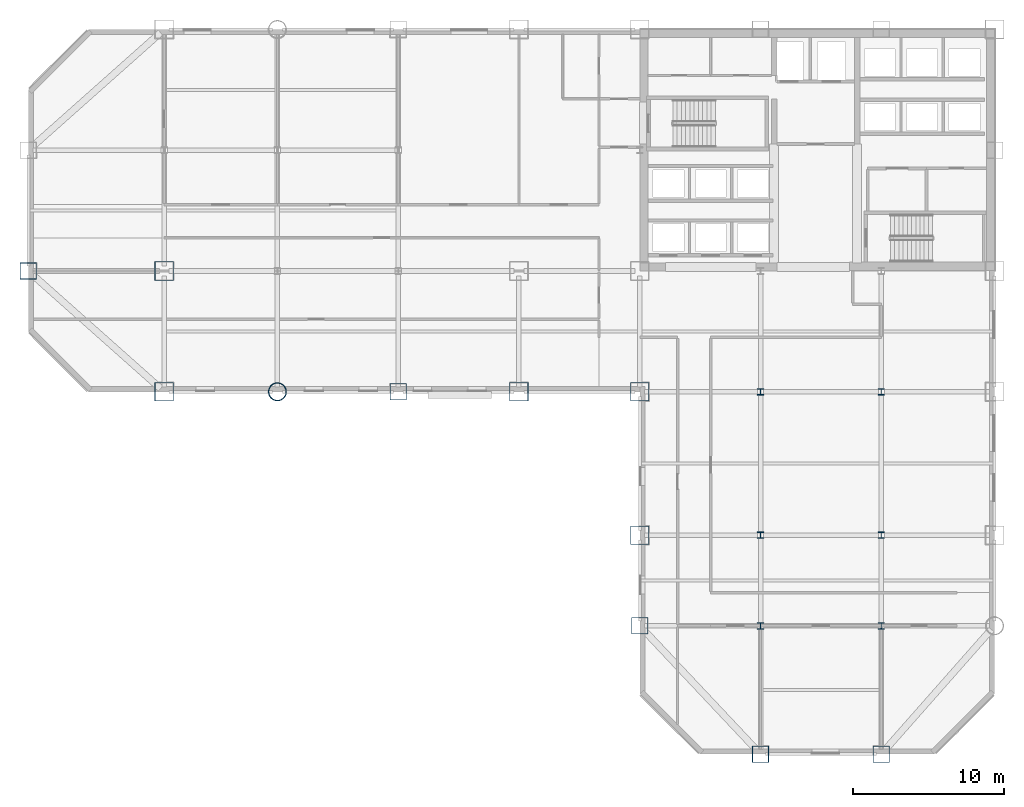
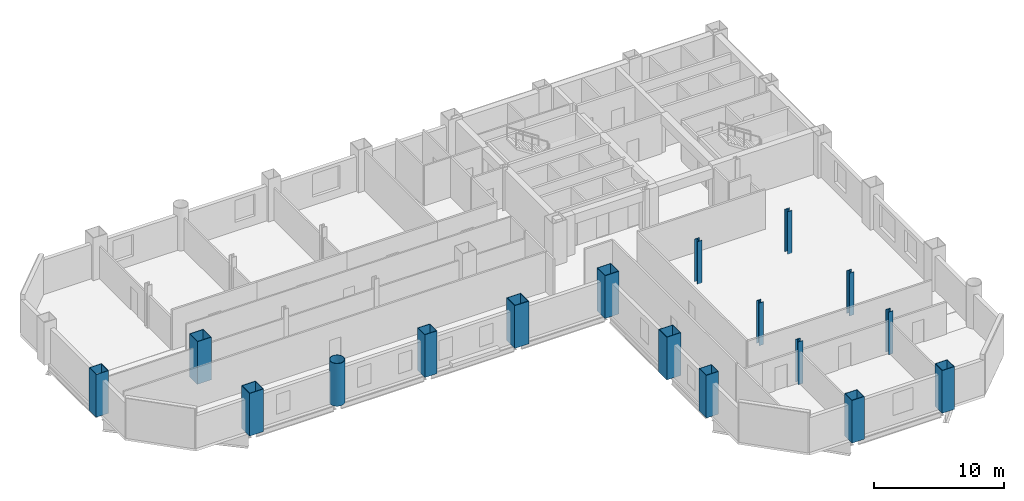
# One storey, part 1 of 9: 17 columns.
"""IFC4 building model written with IfcOpenShell, lengths in metres."""

from ifc_helpers import new_model, si_unit, direction, frame, origin, origin_2d, place, context, subcontext, project, spatial, hollow_rectangle, hollow_circle, i_section, extrude, material, material_profile, profile_set, type_object, element, save


model = new_model("IFC4")

# Units and contexts
model_context = context("Model", 3, precision=1e-05, world=origin(), true_north=direction((0.0, 1.0)))
body_context = subcontext(model_context, "Body", "Model", "MODEL_VIEW")
ifc_project = project(units=[si_unit("LENGTHUNIT", "METRE"), si_unit("AREAUNIT", "SQUARE_METRE"), si_unit("VOLUMEUNIT", "CUBIC_METRE"), si_unit("PLANEANGLEUNIT", "RADIAN"), si_unit("MASSUNIT", "GRAM", prefix="KILO")], contexts=[model_context])

# Site, building, storey
site_placement = place(None, origin())
site = spatial("IfcSite", under=ifc_project, at=site_placement, CompositionType="ELEMENT")
building_placement = place(site_placement, origin())
building = spatial("IfcBuilding", under=site, at=building_placement, Name="Qianrong Seaharbour Tower", CompositionType="ELEMENT")
storey_placement = place(building_placement, frame((0.0, 0.0, 52.199951171875)))
storey = spatial("IfcBuildingStorey", under=building, at=storey_placement, Name="L12", CompositionType="ELEMENT", Elevation=52.199951171875)

# Columns
ifc_material = material(Name="Structural steel SN490B", Category="steel")
ifc_material_profile_1 = material_profile(ifc_material, hollow_rectangle(XDim=1.25, YDim=1.25, WallThickness=0.044921875, at=origin_2d()), Name="BOX1250x1250x45")
ifc_profile_set_1 = profile_set([ifc_material_profile_1], Name="Structural steel SN490B")
column_type_1 = type_object("IfcColumnType", Name="COL-CFT-1250", PredefinedType="COLUMN", material=ifc_profile_set_1)
for number, where, z_axis, x_axis, name in (
    (1, (9.0, 28.0, 0.0), (0.0, 0.0, 1.0), (1.0, 0.0, 0.0), "L12 Column MC-2 at G2/GE"),
    (2, (9.0, 36.0, 0.0), (0.0, 0.0, 1.0), (1.0, 0.0, 0.0), "L12 Column MC-2 at G2/GF"),
    (3, (32.5, 28.0, 0.0), (0.0, 0.0, 1.0), (1.0, 0.0, 0.0), "L12 Column MC-2 at G5/GE"),
    (4, (40.5, 18.5, 0.0), (0.0, 0.0, 1.0), (1.0, 0.0, 0.0), "L12 Column MC-2 at G6/GD"),
    (5, (40.5, 28.0, 0.0), (0.0, 0.0, 1.0), (1.0, 0.0, 0.0), "L12 Column MC-2 at G6/GE"),
):
    element("IfcColumn", number, at=place(storey_placement, frame(where, z_axis=z_axis, x_axis=x_axis)), inside=storey, type_object=column_type_1, Name=name, PredefinedType="COLUMN", context=body_context, shape_type="SweptSolid", body=[
        extrude(hollow_rectangle(XDim=1.25, YDim=1.25, WallThickness=0.044921875, at=origin_2d()), origin(), (0.0, 0.0, 1.0), 4.0),
    ])
ifc_material_profile_2 = material_profile(ifc_material, hollow_circle(Radius=0.60009765625, WallThickness=0.0400390625, at=origin_2d()), Name="CHS1200x40")
ifc_profile_set_2 = profile_set([ifc_material_profile_2], Name="Structural steel SN490B")
column_type_2 = type_object("IfcColumnType", Name="COL-CHS-1200", PredefinedType="COLUMN", material=ifc_profile_set_2)
column_placement = place(storey_placement, frame((16.5, 28.0, 0.0), z_axis=(0.0, 0.0, 1.0), x_axis=(1.0, 0.0, 0.0)))
element("IfcColumn", 6, at=column_placement, inside=storey, type_object=column_type_2, Name="L12 Column CC-1 at G3/GE", PredefinedType="COLUMN", context=body_context, shape_type="SweptSolid", body=[
    extrude(hollow_circle(Radius=0.60009765625, WallThickness=0.0400390625, at=origin_2d()), origin(), (0.0, 0.0, 1.0), 4.0),
])
ifc_material_profile_3 = material_profile(ifc_material, i_section(OverallWidth=0.406982421875, OverallDepth=0.427978515625, WebThickness=0.02001953125, FlangeThickness=0.034912109375, FilletRadius=0.02197265625, at=origin_2d()), Name="H428x407x20x35")
ifc_profile_set_3 = profile_set([ifc_material_profile_3], Name="Structural steel SN490B")
column_type_3 = type_object("IfcColumnType", Name="COL-INT-H428", PredefinedType="COLUMN", material=ifc_profile_set_3)
for number, where, z_axis, x_axis, name in (
    (7, (48.5, 12.5, 0.0), (0.0, 0.0, 1.0), (1.0, 0.0, 0.0), "L12 Column IC-2 at G7/GC"),
    (8, (48.5, 18.5, 0.0), (0.0, 0.0, 1.0), (1.0, 0.0, 0.0), "L12 Column IC-2 at G7/GD"),
    (9, (48.5, 28.0, 0.0), (0.0, 0.0, 1.0), (1.0, 0.0, 0.0), "L12 Column IC-2 at G7/GE"),
    (10, (56.5, 12.5, 0.0), (0.0, 0.0, 1.0), (1.0, 0.0, 0.0), "L12 Column IC-2 at G8/GC"),
    (11, (56.5, 18.5, 0.0), (0.0, 0.0, 1.0), (1.0, 0.0, 0.0), "L12 Column IC-2 at G8/GD"),
    (12, (56.5, 28.0, 0.0), (0.0, 0.0, 1.0), (1.0, 0.0, 0.0), "L12 Column IC-2 at G8/GE"),
):
    element("IfcColumn", number, at=place(storey_placement, frame(where, z_axis=z_axis, x_axis=x_axis)), inside=storey, type_object=column_type_3, Name=name, PredefinedType="COLUMN", context=body_context, shape_type="SweptSolid", body=[
        extrude(i_section(OverallWidth=0.406982421875, OverallDepth=0.427978515625, WebThickness=0.02001953125, FlangeThickness=0.034912109375, FilletRadius=0.02197265625, at=origin_2d()), origin(), (0.0, 0.0, 1.0), 4.0),
    ])
ifc_material_profile_4 = material_profile(ifc_material, hollow_rectangle(XDim=1.10009765625, YDim=1.10009765625, WallThickness=0.0400390625, at=origin_2d()), Name="BOX1100x1100x40")
ifc_profile_set_4 = profile_set([ifc_material_profile_4], Name="Structural steel SN490B")
column_type_4 = type_object("IfcColumnType", Name="COL-PER-1100", PredefinedType="COLUMN", material=ifc_profile_set_4)
for number, where, z_axis, x_axis, name in (
    (13, (0.0, 36.0, 0.0), (0.0, 0.0, 1.0), (1.0, 0.0, 0.0), "L12 Column PC-1 at G1/GF"),
    (14, (24.5, 28.0, 0.0), (0.0, 0.0, 1.0), (1.0, 0.0, 0.0), "L12 Column PC-1 at G4/GE"),
    (15, (40.5, 12.5, 0.0), (0.0, 0.0, 1.0), (1.0, 0.0, 0.0), "L12 Column PC-1 at G6/GC"),
    (16, (48.5, 4.0, 0.0), (0.0, 0.0, 1.0), (1.0, 0.0, 0.0), "L12 Column PC-1 at G7/GB"),
    (17, (56.5, 4.0, 0.0), (0.0, 0.0, 1.0), (1.0, 0.0, 0.0), "L12 Column PC-1 at G8/GB"),
):
    element("IfcColumn", number, at=place(storey_placement, frame(where, z_axis=z_axis, x_axis=x_axis)), inside=storey, type_object=column_type_4, Name=name, PredefinedType="COLUMN", context=body_context, shape_type="SweptSolid", body=[
        extrude(hollow_rectangle(XDim=1.10009765625, YDim=1.10009765625, WallThickness=0.0400390625, at=origin_2d()), origin(), (0.0, 0.0, 1.0), 4.0),
    ])

save(model, "model.ifc")
